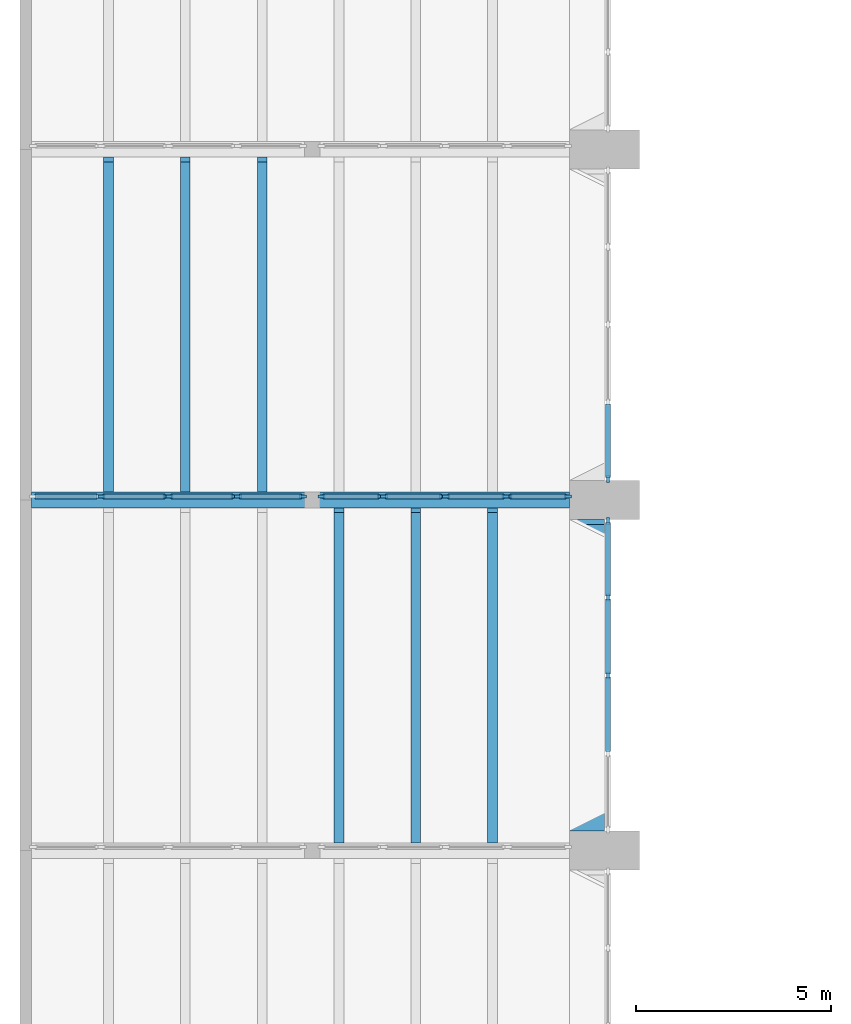
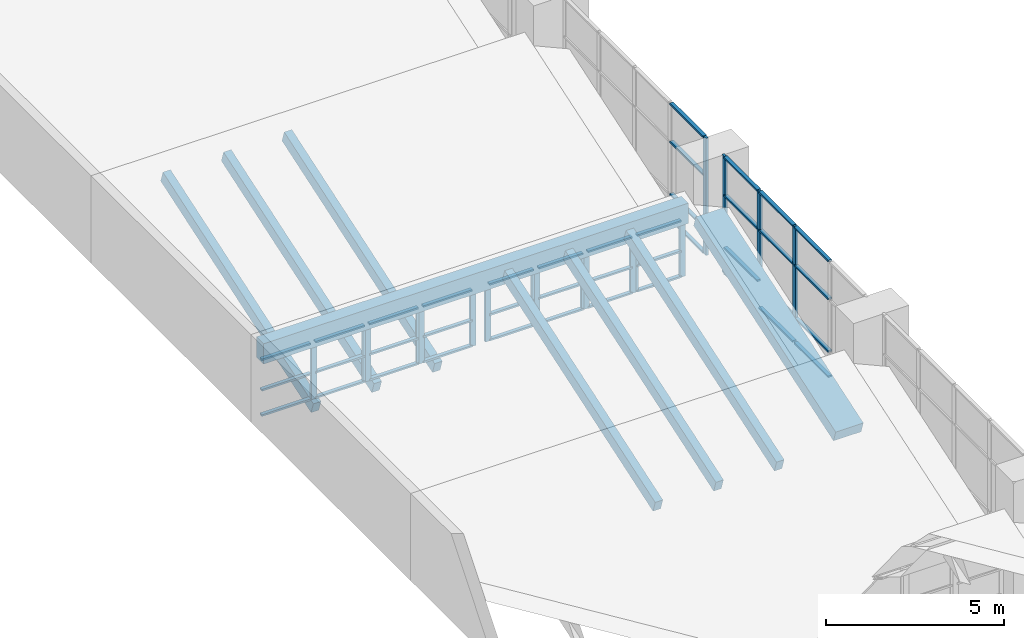
# One storey, part 10 of 43: 58 members, 8 beams, 10 elements without a shape of their own.
"""IFC4 building model written with IfcOpenShell, lengths in metres."""

from ifc_helpers import new_model, si_unit, direction, frame, origin, origin_2d, place, context, subcontext, project, spatial, rectangle, extrude, material, material_profile, profile_set, type_object, element, aggregate, save


model = new_model("IFC4")

# Units and contexts
model_context = context("Model", 3, precision=1e-05, world=origin(), true_north=direction((0.0, 1.0)))
body_context = subcontext(model_context, "Body", "Model", "MODEL_VIEW")
ifc_project = project(units=[si_unit("LENGTHUNIT", "METRE"), si_unit("AREAUNIT", "SQUARE_METRE"), si_unit("VOLUMEUNIT", "CUBIC_METRE"), si_unit("PLANEANGLEUNIT", "RADIAN"), si_unit("MASSUNIT", "GRAM", prefix="KILO")], contexts=[model_context])

# Site, building, storey
site_placement = place(None, origin())
site = spatial("IfcSite", under=ifc_project, at=site_placement, CompositionType="ELEMENT")
building_placement = place(site_placement, origin())
building = spatial("IfcBuilding", under=site, at=building_placement, Name="Elmora Arch Market Hall", CompositionType="ELEMENT")
storey_placement = place(building_placement, frame((0.0, 0.0, 10.199951171875)))
storey = spatial("IfcBuildingStorey", under=building, at=storey_placement, Name="L02", CompositionType="ELEMENT", Elevation=10.199951171875)

# Curtain wall, members
ifc_material_1 = material(Name="Aluminium", Category="aluminium")
curtain_wall_type_1 = type_object("IfcCurtainWallType", Name="Hall front curtain wall", PredefinedType="NOTDEFINED", material=ifc_material_1)
curtain_wall_1_placement = place(storey_placement, origin())
curtain_wall_1 = element("IfcCurtainWall", 1, at=curtain_wall_1_placement, inside=storey, type_object=curtain_wall_type_1, Name="Hall west glazing L02 5", PredefinedType="NOTDEFINED")
ifc_material_2 = material(Name="Aluminium", Category="aluminium")
ifc_material_profile_1 = material_profile(ifc_material_2, rectangle(XDim=0.080078125, YDim=0.179931640625, at=origin_2d()), Name="AL 80x180")
ifc_profile_set_1 = profile_set([ifc_material_profile_1], Name="Aluminium")
member_type_1 = type_object("IfcMemberType", Name="Mullion 80x180", PredefinedType="MULLION", material=ifc_profile_set_1)
member_1_placement = place(storey_placement, frame((15.090087890625, 67.5, 0.166748046875), z_axis=(0.0, 0.0, 1.0), x_axis=(-1.0, 0.0, 0.0)))
member_1 = element("IfcMember", 2, at=member_1_placement, type_object=member_type_1, Name="CW2 mullion 3", PredefinedType="MULLION", context=body_context, shape_type="SweptSolid", body=[
    extrude(rectangle(XDim=0.080078125, YDim=0.179931640625, at=origin_2d()), origin(), (0.0, 0.0, 1.0), 4.033203125),
])
member_2_placement = place(storey_placement, frame((15.090087890625, 69.5, 0.166748046875), z_axis=(0.0, 0.0, 1.0), x_axis=(-1.0, 0.0, 0.0)))
member_2 = element("IfcMember", 3, at=member_2_placement, type_object=member_type_1, Name="CW2 mullion 4", PredefinedType="MULLION", context=body_context, shape_type="SweptSolid", body=[
    extrude(rectangle(XDim=0.080078125, YDim=0.179931640625, at=origin_2d()), origin(), (0.0, 0.0, 1.0), 4.033203125),
])
member_3_placement = place(storey_placement, frame((15.090087890625, 71.4599609375, 0.166748046875), z_axis=(0.0, 0.0, 1.0), x_axis=(-1.0, 0.0, 0.0)))
member_3 = element("IfcMember", 4, at=member_3_placement, type_object=member_type_1, Name="CW2 mullion 5", PredefinedType="MULLION", context=body_context, shape_type="SweptSolid", body=[
    extrude(rectangle(XDim=0.080078125, YDim=0.179931640625, at=origin_2d()), origin(), (0.0, 0.0, 1.0), 4.033203125),
])

# Curtain wall, member
curtain_wall_2_placement = place(storey_placement, origin())
curtain_wall_2 = element("IfcCurtainWall", 5, at=curtain_wall_2_placement, inside=storey, type_object=curtain_wall_type_1, Name="Hall west glazing L02 6", PredefinedType="NOTDEFINED")
member_4_placement = place(storey_placement, frame((15.090087890625, 72.5400390625, 0.166748046875), z_axis=(0.0, 0.0, 1.0), x_axis=(-1.0, 0.0, 0.0)))
member_4 = element("IfcMember", 6, at=member_4_placement, type_object=member_type_1, Name="CW2 mullion 1", PredefinedType="MULLION", context=body_context, shape_type="SweptSolid", body=[
    extrude(rectangle(XDim=0.080078125, YDim=0.179931640625, at=origin_2d()), origin(), (0.0, 0.0, 1.0), 4.033203125),
])

# Curtain wall, members
ifc_material_3 = material(Name="Aluminium", Category="aluminium")
curtain_wall_type_2 = type_object("IfcCurtainWallType", Name="Sawtooth glazing curtain wall", PredefinedType="NOTDEFINED", material=ifc_material_3)
curtain_wall_3_placement = place(storey_placement, origin())
curtain_wall_3 = element("IfcCurtainWall", 7, at=curtain_wall_3_placement, inside=storey, type_object=curtain_wall_type_2, Name="Sawtooth riser 5 part 1.2", PredefinedType="NOTDEFINED")
member_5_placement = place(storey_placement, frame((2.090087890625, 72.090087890625, 0.030029296875), z_axis=(0.0, 0.0, 1.0), x_axis=(0.0, 1.0, 0.0)))
member_5 = element("IfcMember", 8, at=member_5_placement, type_object=member_type_1, Name="CW7 mullion 1", PredefinedType="MULLION", context=body_context, shape_type="SweptSolid", body=[
    extrude(rectangle(XDim=0.080078125, YDim=0.179931640625, at=origin_2d()), origin(), (0.0, 0.0, 1.0), 1.969970703125),
])
member_6_placement = place(storey_placement, frame((3.760009765625, 72.090087890625, 0.030029296875), z_axis=(0.0, 0.0, 1.0), x_axis=(0.0, 1.0, 0.0)))
member_6 = element("IfcMember", 9, at=member_6_placement, type_object=member_type_1, Name="CW7 mullion 2", PredefinedType="MULLION", context=body_context, shape_type="SweptSolid", body=[
    extrude(rectangle(XDim=0.080078125, YDim=0.179931640625, at=origin_2d()), origin(), (0.0, 0.0, 1.0), 1.969970703125),
])

curtain_wall_4_placement = place(storey_placement, origin())
curtain_wall_4 = element("IfcCurtainWall", 10, at=curtain_wall_4_placement, inside=storey, type_object=curtain_wall_type_2, Name="Sawtooth riser 5 part 1.3", PredefinedType="NOTDEFINED")
member_7_placement = place(storey_placement, frame((3.840087890625, 72.090087890625, 0.030029296875), z_axis=(0.0, 0.0, 1.0), x_axis=(0.0, 1.0, 0.0)))
member_7 = element("IfcMember", 11, at=member_7_placement, type_object=member_type_1, Name="CW7 mullion 1", PredefinedType="MULLION", context=body_context, shape_type="SweptSolid", body=[
    extrude(rectangle(XDim=0.080078125, YDim=0.179931640625, at=origin_2d()), origin(), (0.0, 0.0, 1.0), 1.969970703125),
])
member_8_placement = place(storey_placement, frame((5.510009765625, 72.090087890625, 0.030029296875), z_axis=(0.0, 0.0, 1.0), x_axis=(0.0, 1.0, 0.0)))
member_8 = element("IfcMember", 12, at=member_8_placement, type_object=member_type_1, Name="CW7 mullion 2", PredefinedType="MULLION", context=body_context, shape_type="SweptSolid", body=[
    extrude(rectangle(XDim=0.080078125, YDim=0.179931640625, at=origin_2d()), origin(), (0.0, 0.0, 1.0), 1.969970703125),
])

curtain_wall_5_placement = place(storey_placement, origin())
curtain_wall_5 = element("IfcCurtainWall", 13, at=curtain_wall_5_placement, inside=storey, type_object=curtain_wall_type_2, Name="Sawtooth riser 5 part 1.4", PredefinedType="NOTDEFINED")
member_9_placement = place(storey_placement, frame((5.590087890625, 72.090087890625, 0.030029296875), z_axis=(0.0, 0.0, 1.0), x_axis=(0.0, 1.0, 0.0)))
member_9 = element("IfcMember", 14, at=member_9_placement, type_object=member_type_1, Name="CW7 mullion 1", PredefinedType="MULLION", context=body_context, shape_type="SweptSolid", body=[
    extrude(rectangle(XDim=0.080078125, YDim=0.179931640625, at=origin_2d()), origin(), (0.0, 0.0, 1.0), 1.969970703125),
])
member_10_placement = place(storey_placement, frame((7.260009765625, 72.090087890625, 0.030029296875), z_axis=(0.0, 0.0, 1.0), x_axis=(0.0, 1.0, 0.0)))
member_10 = element("IfcMember", 15, at=member_10_placement, type_object=member_type_1, Name="CW7 mullion 2", PredefinedType="MULLION", context=body_context, shape_type="SweptSolid", body=[
    extrude(rectangle(XDim=0.080078125, YDim=0.179931640625, at=origin_2d()), origin(), (0.0, 0.0, 1.0), 1.969970703125),
])

curtain_wall_6_placement = place(storey_placement, origin())
curtain_wall_6 = element("IfcCurtainWall", 16, at=curtain_wall_6_placement, inside=storey, type_object=curtain_wall_type_2, Name="Sawtooth riser 5 part 2.1", PredefinedType="NOTDEFINED")
member_11_placement = place(storey_placement, frame((7.739990234375, 72.090087890625, 0.030029296875), z_axis=(0.0, 0.0, 1.0), x_axis=(0.0, 1.0, 0.0)))
member_11 = element("IfcMember", 17, at=member_11_placement, type_object=member_type_1, Name="CW7 mullion 1", PredefinedType="MULLION", context=body_context, shape_type="SweptSolid", body=[
    extrude(rectangle(XDim=0.080078125, YDim=0.179931640625, at=origin_2d()), origin(), (0.0, 0.0, 1.0), 1.969970703125),
])
member_12_placement = place(storey_placement, frame((9.260009765625, 72.090087890625, 0.030029296875), z_axis=(0.0, 0.0, 1.0), x_axis=(0.0, 1.0, 0.0)))
member_12 = element("IfcMember", 18, at=member_12_placement, type_object=member_type_1, Name="CW7 mullion 2", PredefinedType="MULLION", context=body_context, shape_type="SweptSolid", body=[
    extrude(rectangle(XDim=0.080078125, YDim=0.179931640625, at=origin_2d()), origin(), (0.0, 0.0, 1.0), 1.969970703125),
])

curtain_wall_7_placement = place(storey_placement, origin())
curtain_wall_7 = element("IfcCurtainWall", 19, at=curtain_wall_7_placement, inside=storey, type_object=curtain_wall_type_2, Name="Sawtooth riser 5 part 2.2", PredefinedType="NOTDEFINED")
member_13_placement = place(storey_placement, frame((9.340087890625, 72.090087890625, 0.030029296875), z_axis=(0.0, 0.0, 1.0), x_axis=(0.0, 1.0, 0.0)))
member_13 = element("IfcMember", 20, at=member_13_placement, type_object=member_type_1, Name="CW7 mullion 1", PredefinedType="MULLION", context=body_context, shape_type="SweptSolid", body=[
    extrude(rectangle(XDim=0.080078125, YDim=0.179931640625, at=origin_2d()), origin(), (0.0, 0.0, 1.0), 1.969970703125),
])
member_14_placement = place(storey_placement, frame((10.860107421875, 72.090087890625, 0.030029296875), z_axis=(0.0, 0.0, 1.0), x_axis=(0.0, 1.0, 0.0)))
member_14 = element("IfcMember", 21, at=member_14_placement, type_object=member_type_1, Name="CW7 mullion 2", PredefinedType="MULLION", context=body_context, shape_type="SweptSolid", body=[
    extrude(rectangle(XDim=0.080078125, YDim=0.179931640625, at=origin_2d()), origin(), (0.0, 0.0, 1.0), 1.969970703125),
])

curtain_wall_8_placement = place(storey_placement, origin())
curtain_wall_8 = element("IfcCurtainWall", 22, at=curtain_wall_8_placement, inside=storey, type_object=curtain_wall_type_2, Name="Sawtooth riser 5 part 2.3", PredefinedType="NOTDEFINED")
member_15_placement = place(storey_placement, frame((10.93994140625, 72.090087890625, 0.030029296875), z_axis=(0.0, 0.0, 1.0), x_axis=(0.0, 1.0, 0.0)))
member_15 = element("IfcMember", 23, at=member_15_placement, type_object=member_type_1, Name="CW7 mullion 1", PredefinedType="MULLION", context=body_context, shape_type="SweptSolid", body=[
    extrude(rectangle(XDim=0.080078125, YDim=0.179931640625, at=origin_2d()), origin(), (0.0, 0.0, 1.0), 1.969970703125),
])
member_16_placement = place(storey_placement, frame((12.4599609375, 72.090087890625, 0.030029296875), z_axis=(0.0, 0.0, 1.0), x_axis=(0.0, 1.0, 0.0)))
member_16 = element("IfcMember", 24, at=member_16_placement, type_object=member_type_1, Name="CW7 mullion 2", PredefinedType="MULLION", context=body_context, shape_type="SweptSolid", body=[
    extrude(rectangle(XDim=0.080078125, YDim=0.179931640625, at=origin_2d()), origin(), (0.0, 0.0, 1.0), 1.969970703125),
])

curtain_wall_9_placement = place(storey_placement, origin())
curtain_wall_9 = element("IfcCurtainWall", 25, at=curtain_wall_9_placement, inside=storey, type_object=curtain_wall_type_2, Name="Sawtooth riser 5 part 2.4", PredefinedType="NOTDEFINED")
member_17_placement = place(storey_placement, frame((12.5400390625, 72.090087890625, 0.030029296875), z_axis=(0.0, 0.0, 1.0), x_axis=(0.0, 1.0, 0.0)))
member_17 = element("IfcMember", 26, at=member_17_placement, type_object=member_type_1, Name="CW7 mullion 1", PredefinedType="MULLION", context=body_context, shape_type="SweptSolid", body=[
    extrude(rectangle(XDim=0.080078125, YDim=0.179931640625, at=origin_2d()), origin(), (0.0, 0.0, 1.0), 1.969970703125),
])
member_18_placement = place(storey_placement, frame((14.06005859375, 72.090087890625, 0.030029296875), z_axis=(0.0, 0.0, 1.0), x_axis=(0.0, 1.0, 0.0)))
member_18 = element("IfcMember", 27, at=member_18_placement, type_object=member_type_1, Name="CW7 mullion 2", PredefinedType="MULLION", context=body_context, shape_type="SweptSolid", body=[
    extrude(rectangle(XDim=0.080078125, YDim=0.179931640625, at=origin_2d()), origin(), (0.0, 0.0, 1.0), 1.969970703125),
])

# Beams
ifc_material_4 = material(Name="Concrete C32/40", Category="concrete")
ifc_material_profile_2 = material_profile(ifc_material_4, rectangle(XDim=0.39990234375, YDim=0.699951171875, at=origin_2d()), Name="Ridge beam 400x700")
ifc_profile_set_2 = profile_set([ifc_material_profile_2], Name="Concrete C32/40")
beam_type_1 = type_object("IfcBeamType", Name="Ridge beam 400x700", PredefinedType="BEAM", material=ifc_profile_set_2)
beam_1_placement = place(storey_placement, frame((0.300048828125, 72.0, 2.35009765625), z_axis=(1.0, 0.0, 0.0), x_axis=(0.0, 1.0, 0.0)))
element("IfcBeam", 28, at=beam_1_placement, inside=storey, type_object=beam_type_1, Name="Ridge beam RB5 L02.1", PredefinedType="BEAM", context=body_context, shape_type="SweptSolid", body=[
    extrude(rectangle(XDim=0.39990234375, YDim=0.699951171875, at=origin_2d()), origin(), (0.0, 0.0, 1.0), 13.800048828125),
])
ifc_material_5 = material(Name="Concrete C32/40", Category="concrete")
ifc_material_profile_3 = material_profile(ifc_material_5, rectangle(XDim=0.89990234375, YDim=0.39990234375, at=origin_2d()), Name="Sawtooth edge beam 900x400")
ifc_profile_set_3 = profile_set([ifc_material_profile_3], Name="Concrete C32/40")
beam_type_2 = type_object("IfcBeamType", Name="Sawtooth edge beam 900x400", PredefinedType="BEAM", material=ifc_profile_set_3)
beam_2_placement = place(storey_placement, frame((14.550048828125, 63.563232421875, -0.322998046875), z_axis=(0.0, 0.948683298051, 0.316227766017), x_axis=(-1.0, 0.0, 0.0)))
element("IfcBeam", 29, at=beam_2_placement, inside=storey, type_object=beam_type_2, Name="Sawtooth edge beam 5", PredefinedType="BEAM", context=body_context, shape_type="SweptSolid", body=[
    extrude(rectangle(XDim=0.89990234375, YDim=0.39990234375, at=origin_2d()), origin(), (0.0, 0.0, 1.0), 8.29931640625),
])
ifc_material_6 = material(Name="Concrete C32/40", Category="concrete")
ifc_material_profile_4 = material_profile(ifc_material_6, rectangle(XDim=0.25, YDim=0.39990234375, at=origin_2d()), Name="Sawtooth rafter 250x400")
ifc_profile_set_4 = profile_set([ifc_material_profile_4], Name="Concrete C32/40")
beam_type_3 = type_object("IfcBeamType", Name="Sawtooth rafter 250x400", PredefinedType="BEAM", material=ifc_profile_set_4)
for number, where, z_axis, x_axis, name in (
    (30, (8.185791015625, 63.26318359375, -0.443115234375), (0.0, 0.94868603135, 0.316219565999), (-1.0, 0.0, 0.0), "Sawtooth rafter 5.4"),
    (31, (10.156982421875, 63.26318359375, -0.443115234375), (0.0, 0.94868603135, 0.316219565999), (-1.0, 0.0, 0.0), "Sawtooth rafter 5.5"),
    (32, (12.128662109375, 63.26318359375, -0.443115234375), (0.0, 0.94868603135, 0.316219565999), (-1.0, 0.0, 0.0), "Sawtooth rafter 5.6"),
    (33, (2.271484375, 72.26318359375, -0.443115234375), (0.0, 0.94868603135, 0.316219565999), (-1.0, 0.0, 0.0), "Sawtooth rafter 6.1"),
    (34, (4.242919921875, 72.26318359375, -0.443115234375), (0.0, 0.94868603135, 0.316219565999), (-1.0, 0.0, 0.0), "Sawtooth rafter 6.2"),
    (35, (6.21435546875, 72.26318359375, -0.443115234375), (0.0, 0.94868603135, 0.316219565999), (-1.0, 0.0, 0.0), "Sawtooth rafter 6.3"),
):
    element("IfcBeam", number, at=place(storey_placement, frame(where, z_axis=z_axis, x_axis=x_axis)), inside=storey, type_object=beam_type_3, Name=name, PredefinedType="BEAM", context=body_context, shape_type="SweptSolid", body=[
        extrude(rectangle(XDim=0.25, YDim=0.39990234375, at=origin_2d()), origin(), (0.0, 0.0, 1.0), 8.931884765625),
    ])

# Member
ifc_material_7 = material(Name="Aluminium", Category="aluminium")
ifc_material_profile_5 = material_profile(ifc_material_7, rectangle(XDim=0.1201171875, YDim=0.06005859375, at=origin_2d()), Name="AL 120x60")
ifc_profile_set_5 = profile_set([ifc_material_profile_5], Name="Aluminium")
member_type_2 = type_object("IfcMemberType", Name="Transom 120x60", PredefinedType="USERDEFINED", material=ifc_profile_set_5)
member_19_placement = place(storey_placement, frame((15.090087890625, 65.5400390625, 0.19677734375), z_axis=(0.0, 1.0, 0.0), x_axis=(-1.0, 0.0, 0.0)))
member_19 = element("IfcMember", 36, at=member_19_placement, type_object=member_type_2, Name="CW2 transom 2.1", ObjectType="TRANSOM", PredefinedType="USERDEFINED", context=body_context, shape_type="SweptSolid", body=[
    extrude(rectangle(XDim=0.1201171875, YDim=0.06005859375, at=origin_2d()), origin(), (0.0, 0.0, 1.0), 1.919921875),
])

member_20_placement = place(storey_placement, frame((15.090087890625, 65.5400390625, 1.066650390625), z_axis=(0.0, 1.0, 0.0), x_axis=(-1.0, 0.0, 0.0)))
member_20 = element("IfcMember", 37, at=member_20_placement, type_object=member_type_2, Name="CW2 transom 2.2", ObjectType="TRANSOM", PredefinedType="USERDEFINED", context=body_context, shape_type="SweptSolid", body=[
    extrude(rectangle(XDim=0.1201171875, YDim=0.06005859375, at=origin_2d()), origin(), (0.0, 0.0, 1.0), 1.919921875),
])

member_21_placement = place(storey_placement, frame((15.090087890625, 65.5400390625, 2.86669921875), z_axis=(0.0, 1.0, 0.0), x_axis=(-1.0, 0.0, 0.0)))
member_21 = element("IfcMember", 38, at=member_21_placement, type_object=member_type_2, Name="CW2 transom 2.3", ObjectType="TRANSOM", PredefinedType="USERDEFINED", context=body_context, shape_type="SweptSolid", body=[
    extrude(rectangle(XDim=0.1201171875, YDim=0.06005859375, at=origin_2d()), origin(), (0.0, 0.0, 1.0), 1.919921875),
])

member_22_placement = place(storey_placement, frame((15.090087890625, 65.5400390625, 4.170166015625), z_axis=(0.0, 1.0, 0.0), x_axis=(-1.0, 0.0, 0.0)))
member_22 = element("IfcMember", 39, at=member_22_placement, type_object=member_type_2, Name="CW2 transom 2.4", ObjectType="TRANSOM", PredefinedType="USERDEFINED", context=body_context, shape_type="SweptSolid", body=[
    extrude(rectangle(XDim=0.1201171875, YDim=0.06005859375, at=origin_2d()), origin(), (0.0, 0.0, 1.0), 1.919921875),
])

member_23_placement = place(storey_placement, frame((15.090087890625, 67.5400390625, 0.19677734375), z_axis=(0.0, 1.0, 0.0), x_axis=(-1.0, 0.0, 0.0)))
member_23 = element("IfcMember", 40, at=member_23_placement, type_object=member_type_2, Name="CW2 transom 3.1", ObjectType="TRANSOM", PredefinedType="USERDEFINED", context=body_context, shape_type="SweptSolid", body=[
    extrude(rectangle(XDim=0.1201171875, YDim=0.06005859375, at=origin_2d()), origin(), (0.0, 0.0, 1.0), 1.919921875),
])

member_24_placement = place(storey_placement, frame((15.090087890625, 67.5400390625, 1.066650390625), z_axis=(0.0, 1.0, 0.0), x_axis=(-1.0, 0.0, 0.0)))
member_24 = element("IfcMember", 41, at=member_24_placement, type_object=member_type_2, Name="CW2 transom 3.2", ObjectType="TRANSOM", PredefinedType="USERDEFINED", context=body_context, shape_type="SweptSolid", body=[
    extrude(rectangle(XDim=0.1201171875, YDim=0.06005859375, at=origin_2d()), origin(), (0.0, 0.0, 1.0), 1.919921875),
])

member_25_placement = place(storey_placement, frame((15.090087890625, 67.5400390625, 2.86669921875), z_axis=(0.0, 1.0, 0.0), x_axis=(-1.0, 0.0, 0.0)))
member_25 = element("IfcMember", 42, at=member_25_placement, type_object=member_type_2, Name="CW2 transom 3.3", ObjectType="TRANSOM", PredefinedType="USERDEFINED", context=body_context, shape_type="SweptSolid", body=[
    extrude(rectangle(XDim=0.1201171875, YDim=0.06005859375, at=origin_2d()), origin(), (0.0, 0.0, 1.0), 1.919921875),
])

member_26_placement = place(storey_placement, frame((15.090087890625, 67.5400390625, 4.170166015625), z_axis=(0.0, 1.0, 0.0), x_axis=(-1.0, 0.0, 0.0)))
member_26 = element("IfcMember", 43, at=member_26_placement, type_object=member_type_2, Name="CW2 transom 3.4", ObjectType="TRANSOM", PredefinedType="USERDEFINED", context=body_context, shape_type="SweptSolid", body=[
    extrude(rectangle(XDim=0.1201171875, YDim=0.06005859375, at=origin_2d()), origin(), (0.0, 0.0, 1.0), 1.919921875),
])

member_27_placement = place(storey_placement, frame((15.090087890625, 69.5400390625, 0.19677734375), z_axis=(0.0, 1.0, 0.0), x_axis=(-1.0, 0.0, 0.0)))
member_27 = element("IfcMember", 44, at=member_27_placement, type_object=member_type_2, Name="CW2 transom 4.1", ObjectType="TRANSOM", PredefinedType="USERDEFINED", context=body_context, shape_type="SweptSolid", body=[
    extrude(rectangle(XDim=0.1201171875, YDim=0.06005859375, at=origin_2d()), origin(), (0.0, 0.0, 1.0), 1.8798828125),
])

member_28_placement = place(storey_placement, frame((15.090087890625, 69.5400390625, 1.066650390625), z_axis=(0.0, 1.0, 0.0), x_axis=(-1.0, 0.0, 0.0)))
member_28 = element("IfcMember", 45, at=member_28_placement, type_object=member_type_2, Name="CW2 transom 4.2", ObjectType="TRANSOM", PredefinedType="USERDEFINED", context=body_context, shape_type="SweptSolid", body=[
    extrude(rectangle(XDim=0.1201171875, YDim=0.06005859375, at=origin_2d()), origin(), (0.0, 0.0, 1.0), 1.8798828125),
])

member_29_placement = place(storey_placement, frame((15.090087890625, 69.5400390625, 2.86669921875), z_axis=(0.0, 1.0, 0.0), x_axis=(-1.0, 0.0, 0.0)))
member_29 = element("IfcMember", 46, at=member_29_placement, type_object=member_type_2, Name="CW2 transom 4.3", ObjectType="TRANSOM", PredefinedType="USERDEFINED", context=body_context, shape_type="SweptSolid", body=[
    extrude(rectangle(XDim=0.1201171875, YDim=0.06005859375, at=origin_2d()), origin(), (0.0, 0.0, 1.0), 1.8798828125),
])

member_30_placement = place(storey_placement, frame((15.090087890625, 69.5400390625, 4.170166015625), z_axis=(0.0, 1.0, 0.0), x_axis=(-1.0, 0.0, 0.0)))
member_30 = element("IfcMember", 47, at=member_30_placement, type_object=member_type_2, Name="CW2 transom 4.4", ObjectType="TRANSOM", PredefinedType="USERDEFINED", context=body_context, shape_type="SweptSolid", body=[
    extrude(rectangle(XDim=0.1201171875, YDim=0.06005859375, at=origin_2d()), origin(), (0.0, 0.0, 1.0), 1.8798828125),
])

aggregate(curtain_wall_1, [member_1, member_2, member_3, member_19, member_20, member_21, member_22, member_23, member_24, member_25, member_26, member_27, member_28, member_29, member_30])

member_31_placement = place(storey_placement, frame((15.090087890625, 72.580078125, 0.19677734375), z_axis=(0.0, 1.0, 0.0), x_axis=(-1.0, 0.0, 0.0)))
member_31 = element("IfcMember", 48, at=member_31_placement, type_object=member_type_2, Name="CW2 transom 1.1", ObjectType="TRANSOM", PredefinedType="USERDEFINED", context=body_context, shape_type="SweptSolid", body=[
    extrude(rectangle(XDim=0.1201171875, YDim=0.06005859375, at=origin_2d()), origin(), (0.0, 0.0, 1.0), 1.8798828125),
])

member_32_placement = place(storey_placement, frame((15.090087890625, 72.580078125, 1.066650390625), z_axis=(0.0, 1.0, 0.0), x_axis=(-1.0, 0.0, 0.0)))
member_32 = element("IfcMember", 49, at=member_32_placement, type_object=member_type_2, Name="CW2 transom 1.2", ObjectType="TRANSOM", PredefinedType="USERDEFINED", context=body_context, shape_type="SweptSolid", body=[
    extrude(rectangle(XDim=0.1201171875, YDim=0.06005859375, at=origin_2d()), origin(), (0.0, 0.0, 1.0), 1.8798828125),
])

member_33_placement = place(storey_placement, frame((15.090087890625, 72.580078125, 2.86669921875), z_axis=(0.0, 1.0, 0.0), x_axis=(-1.0, 0.0, 0.0)))
member_33 = element("IfcMember", 50, at=member_33_placement, type_object=member_type_2, Name="CW2 transom 1.3", ObjectType="TRANSOM", PredefinedType="USERDEFINED", context=body_context, shape_type="SweptSolid", body=[
    extrude(rectangle(XDim=0.1201171875, YDim=0.06005859375, at=origin_2d()), origin(), (0.0, 0.0, 1.0), 1.8798828125),
])

member_34_placement = place(storey_placement, frame((15.090087890625, 72.580078125, 4.170166015625), z_axis=(0.0, 1.0, 0.0), x_axis=(-1.0, 0.0, 0.0)))
member_34 = element("IfcMember", 51, at=member_34_placement, type_object=member_type_2, Name="CW2 transom 1.4", ObjectType="TRANSOM", PredefinedType="USERDEFINED", context=body_context, shape_type="SweptSolid", body=[
    extrude(rectangle(XDim=0.1201171875, YDim=0.06005859375, at=origin_2d()), origin(), (0.0, 0.0, 1.0), 1.8798828125),
])

aggregate(curtain_wall_2, [member_4, member_31, member_32, member_33, member_34])

# Curtain wall, members
curtain_wall_10_placement = place(storey_placement, origin())
curtain_wall_10 = element("IfcCurtainWall", 52, at=curtain_wall_10_placement, inside=storey, type_object=curtain_wall_type_2, Name="Sawtooth riser 5 part 1.1", PredefinedType="NOTDEFINED")
member_35_placement = place(storey_placement, frame((0.3798828125, 72.090087890625, 0.06005859375), z_axis=(1.0, 0.0, 0.0), x_axis=(0.0, 1.0, 0.0)))
member_35 = element("IfcMember", 53, at=member_35_placement, type_object=member_type_2, Name="CW7 transom 1.1", ObjectType="TRANSOM", PredefinedType="USERDEFINED", context=body_context, shape_type="SweptSolid", body=[
    extrude(rectangle(XDim=0.1201171875, YDim=0.06005859375, at=origin_2d()), origin(), (0.0, 0.0, 1.0), 1.590087890625),
])
member_36_placement = place(storey_placement, frame((0.3798828125, 72.090087890625, 0.929931640625), z_axis=(1.0, 0.0, 0.0), x_axis=(0.0, 1.0, 0.0)))
member_36 = element("IfcMember", 54, at=member_36_placement, type_object=member_type_2, Name="CW7 transom 1.2", ObjectType="TRANSOM", PredefinedType="USERDEFINED", context=body_context, shape_type="SweptSolid", body=[
    extrude(rectangle(XDim=0.1201171875, YDim=0.06005859375, at=origin_2d()), origin(), (0.0, 0.0, 1.0), 1.590087890625),
])
member_37_placement = place(storey_placement, frame((0.3798828125, 72.090087890625, 1.969970703125), z_axis=(1.0, 0.0, 0.0), x_axis=(0.0, 1.0, 0.0)))
member_37 = element("IfcMember", 55, at=member_37_placement, type_object=member_type_2, Name="CW7 transom 1.3", ObjectType="TRANSOM", PredefinedType="USERDEFINED", context=body_context, shape_type="SweptSolid", body=[
    extrude(rectangle(XDim=0.1201171875, YDim=0.06005859375, at=origin_2d()), origin(), (0.0, 0.0, 1.0), 1.590087890625),
])
aggregate(curtain_wall_10, [member_35, member_36, member_37])

# Member
member_38_placement = place(storey_placement, frame((2.1298828125, 72.090087890625, 0.06005859375), z_axis=(1.0, 0.0, 0.0), x_axis=(0.0, 1.0, 0.0)))
member_38 = element("IfcMember", 56, at=member_38_placement, type_object=member_type_2, Name="CW7 transom 1.1", ObjectType="TRANSOM", PredefinedType="USERDEFINED", context=body_context, shape_type="SweptSolid", body=[
    extrude(rectangle(XDim=0.1201171875, YDim=0.06005859375, at=origin_2d()), origin(), (0.0, 0.0, 1.0), 1.590087890625),
])

member_39_placement = place(storey_placement, frame((2.1298828125, 72.090087890625, 0.929931640625), z_axis=(1.0, 0.0, 0.0), x_axis=(0.0, 1.0, 0.0)))
member_39 = element("IfcMember", 57, at=member_39_placement, type_object=member_type_2, Name="CW7 transom 1.2", ObjectType="TRANSOM", PredefinedType="USERDEFINED", context=body_context, shape_type="SweptSolid", body=[
    extrude(rectangle(XDim=0.1201171875, YDim=0.06005859375, at=origin_2d()), origin(), (0.0, 0.0, 1.0), 1.590087890625),
])

member_40_placement = place(storey_placement, frame((2.1298828125, 72.090087890625, 1.969970703125), z_axis=(1.0, 0.0, 0.0), x_axis=(0.0, 1.0, 0.0)))
member_40 = element("IfcMember", 58, at=member_40_placement, type_object=member_type_2, Name="CW7 transom 1.3", ObjectType="TRANSOM", PredefinedType="USERDEFINED", context=body_context, shape_type="SweptSolid", body=[
    extrude(rectangle(XDim=0.1201171875, YDim=0.06005859375, at=origin_2d()), origin(), (0.0, 0.0, 1.0), 1.590087890625),
])

aggregate(curtain_wall_3, [member_5, member_6, member_38, member_39, member_40])

member_41_placement = place(storey_placement, frame((3.8798828125, 72.090087890625, 0.06005859375), z_axis=(1.0, 0.0, 0.0), x_axis=(0.0, 1.0, 0.0)))
member_41 = element("IfcMember", 59, at=member_41_placement, type_object=member_type_2, Name="CW7 transom 1.1", ObjectType="TRANSOM", PredefinedType="USERDEFINED", context=body_context, shape_type="SweptSolid", body=[
    extrude(rectangle(XDim=0.1201171875, YDim=0.06005859375, at=origin_2d()), origin(), (0.0, 0.0, 1.0), 1.590087890625),
])

member_42_placement = place(storey_placement, frame((3.8798828125, 72.090087890625, 0.929931640625), z_axis=(1.0, 0.0, 0.0), x_axis=(0.0, 1.0, 0.0)))
member_42 = element("IfcMember", 60, at=member_42_placement, type_object=member_type_2, Name="CW7 transom 1.2", ObjectType="TRANSOM", PredefinedType="USERDEFINED", context=body_context, shape_type="SweptSolid", body=[
    extrude(rectangle(XDim=0.1201171875, YDim=0.06005859375, at=origin_2d()), origin(), (0.0, 0.0, 1.0), 1.590087890625),
])

member_43_placement = place(storey_placement, frame((3.8798828125, 72.090087890625, 1.969970703125), z_axis=(1.0, 0.0, 0.0), x_axis=(0.0, 1.0, 0.0)))
member_43 = element("IfcMember", 61, at=member_43_placement, type_object=member_type_2, Name="CW7 transom 1.3", ObjectType="TRANSOM", PredefinedType="USERDEFINED", context=body_context, shape_type="SweptSolid", body=[
    extrude(rectangle(XDim=0.1201171875, YDim=0.06005859375, at=origin_2d()), origin(), (0.0, 0.0, 1.0), 1.590087890625),
])

aggregate(curtain_wall_4, [member_7, member_8, member_41, member_42, member_43])

member_44_placement = place(storey_placement, frame((5.6298828125, 72.090087890625, 0.06005859375), z_axis=(1.0, 0.0, 0.0), x_axis=(0.0, 1.0, 0.0)))
member_44 = element("IfcMember", 62, at=member_44_placement, type_object=member_type_2, Name="CW7 transom 1.1", ObjectType="TRANSOM", PredefinedType="USERDEFINED", context=body_context, shape_type="SweptSolid", body=[
    extrude(rectangle(XDim=0.1201171875, YDim=0.06005859375, at=origin_2d()), origin(), (0.0, 0.0, 1.0), 1.590087890625),
])

member_45_placement = place(storey_placement, frame((5.6298828125, 72.090087890625, 0.929931640625), z_axis=(1.0, 0.0, 0.0), x_axis=(0.0, 1.0, 0.0)))
member_45 = element("IfcMember", 63, at=member_45_placement, type_object=member_type_2, Name="CW7 transom 1.2", ObjectType="TRANSOM", PredefinedType="USERDEFINED", context=body_context, shape_type="SweptSolid", body=[
    extrude(rectangle(XDim=0.1201171875, YDim=0.06005859375, at=origin_2d()), origin(), (0.0, 0.0, 1.0), 1.590087890625),
])

member_46_placement = place(storey_placement, frame((5.6298828125, 72.090087890625, 1.969970703125), z_axis=(1.0, 0.0, 0.0), x_axis=(0.0, 1.0, 0.0)))
member_46 = element("IfcMember", 64, at=member_46_placement, type_object=member_type_2, Name="CW7 transom 1.3", ObjectType="TRANSOM", PredefinedType="USERDEFINED", context=body_context, shape_type="SweptSolid", body=[
    extrude(rectangle(XDim=0.1201171875, YDim=0.06005859375, at=origin_2d()), origin(), (0.0, 0.0, 1.0), 1.590087890625),
])

aggregate(curtain_wall_5, [member_9, member_10, member_44, member_45, member_46])

member_47_placement = place(storey_placement, frame((7.780029296875, 72.090087890625, 0.06005859375), z_axis=(1.0, 0.0, 0.0), x_axis=(0.0, 1.0, 0.0)))
member_47 = element("IfcMember", 65, at=member_47_placement, type_object=member_type_2, Name="CW7 transom 1.1", ObjectType="TRANSOM", PredefinedType="USERDEFINED", context=body_context, shape_type="SweptSolid", body=[
    extrude(rectangle(XDim=0.1201171875, YDim=0.06005859375, at=origin_2d()), origin(), (0.0, 0.0, 1.0), 1.43994140625),
])

member_48_placement = place(storey_placement, frame((7.780029296875, 72.090087890625, 0.929931640625), z_axis=(1.0, 0.0, 0.0), x_axis=(0.0, 1.0, 0.0)))
member_48 = element("IfcMember", 66, at=member_48_placement, type_object=member_type_2, Name="CW7 transom 1.2", ObjectType="TRANSOM", PredefinedType="USERDEFINED", context=body_context, shape_type="SweptSolid", body=[
    extrude(rectangle(XDim=0.1201171875, YDim=0.06005859375, at=origin_2d()), origin(), (0.0, 0.0, 1.0), 1.43994140625),
])

member_49_placement = place(storey_placement, frame((7.780029296875, 72.090087890625, 1.969970703125), z_axis=(1.0, 0.0, 0.0), x_axis=(0.0, 1.0, 0.0)))
member_49 = element("IfcMember", 67, at=member_49_placement, type_object=member_type_2, Name="CW7 transom 1.3", ObjectType="TRANSOM", PredefinedType="USERDEFINED", context=body_context, shape_type="SweptSolid", body=[
    extrude(rectangle(XDim=0.1201171875, YDim=0.06005859375, at=origin_2d()), origin(), (0.0, 0.0, 1.0), 1.43994140625),
])

aggregate(curtain_wall_6, [member_11, member_12, member_47, member_48, member_49])

member_50_placement = place(storey_placement, frame((9.3798828125, 72.090087890625, 0.06005859375), z_axis=(1.0, 0.0, 0.0), x_axis=(0.0, 1.0, 0.0)))
member_50 = element("IfcMember", 68, at=member_50_placement, type_object=member_type_2, Name="CW7 transom 1.1", ObjectType="TRANSOM", PredefinedType="USERDEFINED", context=body_context, shape_type="SweptSolid", body=[
    extrude(rectangle(XDim=0.1201171875, YDim=0.06005859375, at=origin_2d()), origin(), (0.0, 0.0, 1.0), 1.440185546875),
])

member_51_placement = place(storey_placement, frame((9.3798828125, 72.090087890625, 0.929931640625), z_axis=(1.0, 0.0, 0.0), x_axis=(0.0, 1.0, 0.0)))
member_51 = element("IfcMember", 69, at=member_51_placement, type_object=member_type_2, Name="CW7 transom 1.2", ObjectType="TRANSOM", PredefinedType="USERDEFINED", context=body_context, shape_type="SweptSolid", body=[
    extrude(rectangle(XDim=0.1201171875, YDim=0.06005859375, at=origin_2d()), origin(), (0.0, 0.0, 1.0), 1.440185546875),
])

member_52_placement = place(storey_placement, frame((9.3798828125, 72.090087890625, 1.969970703125), z_axis=(1.0, 0.0, 0.0), x_axis=(0.0, 1.0, 0.0)))
member_52 = element("IfcMember", 70, at=member_52_placement, type_object=member_type_2, Name="CW7 transom 1.3", ObjectType="TRANSOM", PredefinedType="USERDEFINED", context=body_context, shape_type="SweptSolid", body=[
    extrude(rectangle(XDim=0.1201171875, YDim=0.06005859375, at=origin_2d()), origin(), (0.0, 0.0, 1.0), 1.440185546875),
])

aggregate(curtain_wall_7, [member_13, member_14, member_50, member_51, member_52])

member_53_placement = place(storey_placement, frame((10.97998046875, 72.090087890625, 0.06005859375), z_axis=(1.0, 0.0, 0.0), x_axis=(0.0, 1.0, 0.0)))
member_53 = element("IfcMember", 71, at=member_53_placement, type_object=member_type_2, Name="CW7 transom 1.1", ObjectType="TRANSOM", PredefinedType="USERDEFINED", context=body_context, shape_type="SweptSolid", body=[
    extrude(rectangle(XDim=0.1201171875, YDim=0.06005859375, at=origin_2d()), origin(), (0.0, 0.0, 1.0), 1.43994140625),
])

member_54_placement = place(storey_placement, frame((10.97998046875, 72.090087890625, 0.929931640625), z_axis=(1.0, 0.0, 0.0), x_axis=(0.0, 1.0, 0.0)))
member_54 = element("IfcMember", 72, at=member_54_placement, type_object=member_type_2, Name="CW7 transom 1.2", ObjectType="TRANSOM", PredefinedType="USERDEFINED", context=body_context, shape_type="SweptSolid", body=[
    extrude(rectangle(XDim=0.1201171875, YDim=0.06005859375, at=origin_2d()), origin(), (0.0, 0.0, 1.0), 1.43994140625),
])

member_55_placement = place(storey_placement, frame((10.97998046875, 72.090087890625, 1.969970703125), z_axis=(1.0, 0.0, 0.0), x_axis=(0.0, 1.0, 0.0)))
member_55 = element("IfcMember", 73, at=member_55_placement, type_object=member_type_2, Name="CW7 transom 1.3", ObjectType="TRANSOM", PredefinedType="USERDEFINED", context=body_context, shape_type="SweptSolid", body=[
    extrude(rectangle(XDim=0.1201171875, YDim=0.06005859375, at=origin_2d()), origin(), (0.0, 0.0, 1.0), 1.43994140625),
])

aggregate(curtain_wall_8, [member_15, member_16, member_53, member_54, member_55])

member_56_placement = place(storey_placement, frame((12.580078125, 72.090087890625, 0.06005859375), z_axis=(1.0, 0.0, 0.0), x_axis=(0.0, 1.0, 0.0)))
member_56 = element("IfcMember", 74, at=member_56_placement, type_object=member_type_2, Name="CW7 transom 1.1", ObjectType="TRANSOM", PredefinedType="USERDEFINED", context=body_context, shape_type="SweptSolid", body=[
    extrude(rectangle(XDim=0.1201171875, YDim=0.06005859375, at=origin_2d()), origin(), (0.0, 0.0, 1.0), 1.43994140625),
])

member_57_placement = place(storey_placement, frame((12.580078125, 72.090087890625, 0.929931640625), z_axis=(1.0, 0.0, 0.0), x_axis=(0.0, 1.0, 0.0)))
member_57 = element("IfcMember", 75, at=member_57_placement, type_object=member_type_2, Name="CW7 transom 1.2", ObjectType="TRANSOM", PredefinedType="USERDEFINED", context=body_context, shape_type="SweptSolid", body=[
    extrude(rectangle(XDim=0.1201171875, YDim=0.06005859375, at=origin_2d()), origin(), (0.0, 0.0, 1.0), 1.43994140625),
])

member_58_placement = place(storey_placement, frame((12.580078125, 72.090087890625, 1.969970703125), z_axis=(1.0, 0.0, 0.0), x_axis=(0.0, 1.0, 0.0)))
member_58 = element("IfcMember", 76, at=member_58_placement, type_object=member_type_2, Name="CW7 transom 1.3", ObjectType="TRANSOM", PredefinedType="USERDEFINED", context=body_context, shape_type="SweptSolid", body=[
    extrude(rectangle(XDim=0.1201171875, YDim=0.06005859375, at=origin_2d()), origin(), (0.0, 0.0, 1.0), 1.43994140625),
])

aggregate(curtain_wall_9, [member_17, member_18, member_56, member_57, member_58])

save(model, "model.ifc")
